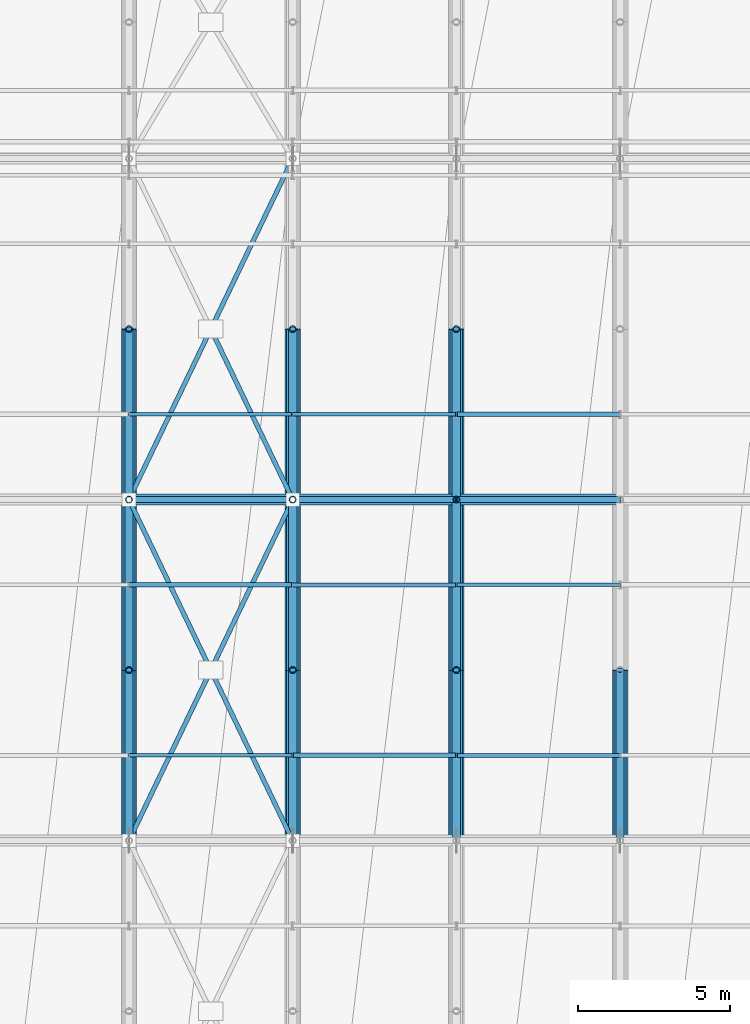
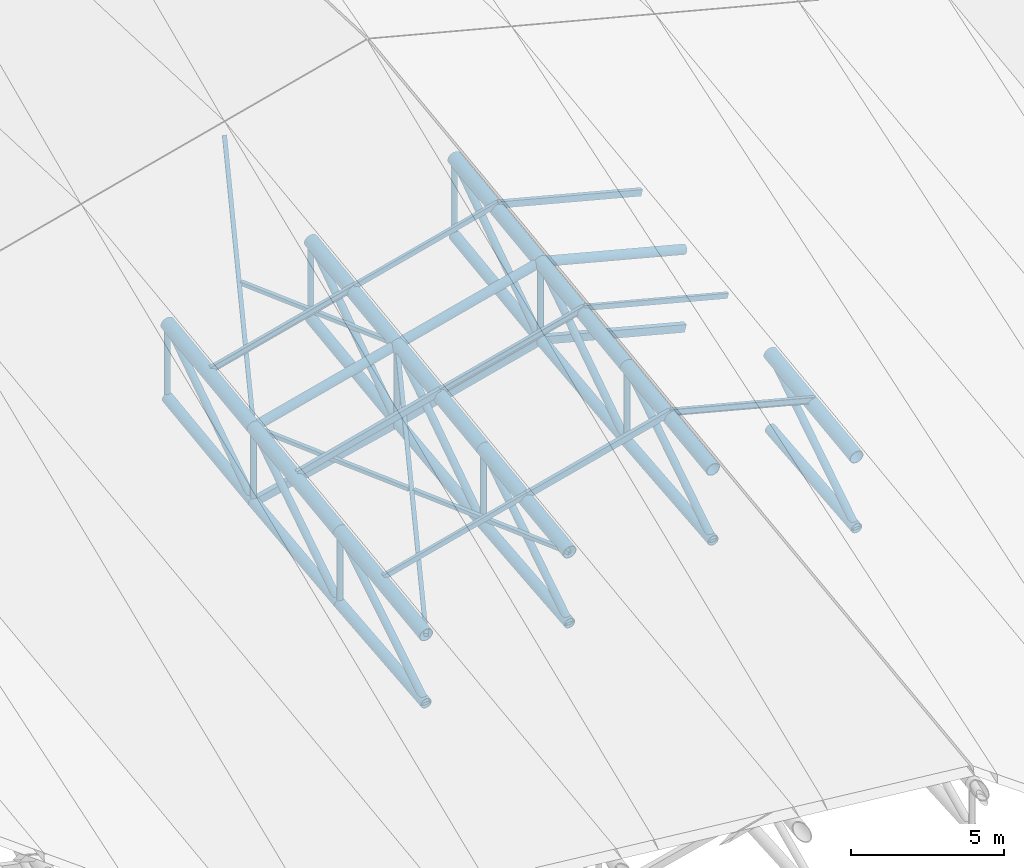
# One storey, part 21 of 109: 39 members, 20 beams.
"""IFC4 building model written with IfcOpenShell, lengths in metres."""

from ifc_helpers import new_model, si_unit, direction, frame, origin, origin_2d, place, context, subcontext, project, spatial, hollow_rectangle, hollow_circle, i_section, extrude, material, material_profile, profile_set, type_object, element, save


model = new_model("IFC4")

# Units and contexts
model_context = context("Model", 3, precision=1e-05, world=origin(), true_north=direction((0.0, 1.0)))
body_context = subcontext(model_context, "Body", "Model", "MODEL_VIEW")
ifc_project = project(units=[si_unit("LENGTHUNIT", "METRE"), si_unit("AREAUNIT", "SQUARE_METRE"), si_unit("VOLUMEUNIT", "CUBIC_METRE"), si_unit("PLANEANGLEUNIT", "RADIAN"), si_unit("MASSUNIT", "GRAM", prefix="KILO")], contexts=[model_context])

# Site, building, storey
site_placement = place(None, origin())
site = spatial("IfcSite", under=ifc_project, at=site_placement, CompositionType="ELEMENT")
building_placement = place(site_placement, origin())
building = spatial("IfcBuilding", under=site, at=building_placement, Name="Suirenkawa Promenade Aquatics Centre", CompositionType="ELEMENT")
storey_placement = place(building_placement, frame((0.0, 0.0, 22.800048828125)))
storey = spatial("IfcBuildingStorey", under=building, at=storey_placement, Name="ROOF", CompositionType="ELEMENT", Elevation=22.800048828125)

# Beams
ifc_material = material(Name="Steel IS 2062 E350 (Grade 350)", Category="steel")
ifc_material_profile_1 = material_profile(ifc_material, hollow_circle(Radius=0.202880859375, WallThickness=0.01806640625, at=origin_2d()), Name="CHS 406x18", Category="steel")
ifc_profile_set_1 = profile_set([ifc_material_profile_1], Name="Steel IS 2062 E350 (Grade 350)")
beam_type_1 = type_object("IfcBeamType", Name="BT-BC-CHS406", PredefinedType="BEAM", material=ifc_profile_set_1)
beam_1_placement = place(storey_placement, frame((100.800048828125, 72.89990234375, -12.02294921875), z_axis=(0.0, 0.995084117006, 0.099033328138), x_axis=(-1.0, 0.0, 0.0)))
element("IfcBeam", 1, at=beam_1_placement, inside=storey, type_object=beam_type_1, Name="ROOF TRUSS V1 bottom chord BC-01 BM-2096", PredefinedType="BEAM", context=body_context, shape_type="SweptSolid", body=[
    extrude(hollow_circle(Radius=0.202880859375, WallThickness=0.01806640625, at=origin_2d()), origin(), (0.0, 0.0, 1.0), 5.65283203125),
])
beam_2_placement = place(storey_placement, frame((100.800048828125, 78.52490234375, -11.463134765625), z_axis=(0.0, 0.993489515672, 0.113923580747), x_axis=(-1.0, 0.0, 0.0)))
element("IfcBeam", 2, at=beam_2_placement, inside=storey, type_object=beam_type_1, Name="ROOF TRUSS V1 bottom chord BC-01 BM-2098", PredefinedType="BEAM", context=body_context, shape_type="SweptSolid", body=[
    extrude(hollow_circle(Radius=0.202880859375, WallThickness=0.01806640625, at=origin_2d()), origin(), (0.0, 0.0, 1.0), 5.661865234375),
])
beam_3_placement = place(storey_placement, frame((100.800048828125, 84.14990234375, -10.818115234375), z_axis=(0.0, 0.991590568823, 0.129414619811), x_axis=(-1.0, 0.0, 0.0)))
element("IfcBeam", 3, at=beam_3_placement, inside=storey, type_object=beam_type_1, Name="ROOF TRUSS V1 bottom chord BC-01 BM-2100", PredefinedType="BEAM", context=body_context, shape_type="SweptSolid", body=[
    extrude(hollow_circle(Radius=0.202880859375, WallThickness=0.01806640625, at=origin_2d()), origin(), (0.0, 0.0, 1.0), 5.672607421875),
])
beam_4_placement = place(storey_placement, frame((106.199951171875, 72.89990234375, -10.72705078125), z_axis=(0.0, 0.995303000279, 0.096808768386), x_axis=(-1.0, 0.0, 0.0)))
element("IfcBeam", 4, at=beam_4_placement, inside=storey, type_object=beam_type_1, Name="ROOF TRUSS V1 bottom chord BC-01 BM-2124", PredefinedType="BEAM", context=body_context, shape_type="SweptSolid", body=[
    extrude(hollow_circle(Radius=0.202880859375, WallThickness=0.01806640625, at=origin_2d()), origin(), (0.0, 0.0, 1.0), 5.651611328125),
])
beam_5_placement = place(storey_placement, frame((106.199951171875, 78.52490234375, -10.179931640625), z_axis=(0.0, 0.993630301177, 0.112689061501), x_axis=(-1.0, 0.0, 0.0)))
element("IfcBeam", 5, at=beam_5_placement, inside=storey, type_object=beam_type_1, Name="ROOF TRUSS V1 bottom chord BC-01 BM-2126", PredefinedType="BEAM", context=body_context, shape_type="SweptSolid", body=[
    extrude(hollow_circle(Radius=0.202880859375, WallThickness=0.01806640625, at=origin_2d()), origin(), (0.0, 0.0, 1.0), 5.6611328125),
])
beam_6_placement = place(storey_placement, frame((106.199951171875, 84.14990234375, -9.5419921875), z_axis=(0.0, 0.991573992333, 0.129541567575), x_axis=(-1.0, 0.0, 0.0)))
element("IfcBeam", 6, at=beam_6_placement, inside=storey, type_object=beam_type_1, Name="ROOF TRUSS V1 bottom chord BC-01 BM-2128", PredefinedType="BEAM", context=body_context, shape_type="SweptSolid", body=[
    extrude(hollow_circle(Radius=0.202880859375, WallThickness=0.01806640625, at=origin_2d()), origin(), (0.0, 0.0, 1.0), 5.6728515625),
])
beam_7_placement = place(storey_placement, frame((111.60009765625, 72.89990234375, -9.3271484375), z_axis=(0.0, 0.995303000279, 0.096808768386), x_axis=(-1.0, 0.0, 0.0)))
element("IfcBeam", 7, at=beam_7_placement, inside=storey, type_object=beam_type_1, Name="ROOF TRUSS V1 bottom chord BC-01 BM-2152", PredefinedType="BEAM", context=body_context, shape_type="SweptSolid", body=[
    extrude(hollow_circle(Radius=0.202880859375, WallThickness=0.01806640625, at=origin_2d()), origin(), (0.0, 0.0, 1.0), 5.651611328125),
])
beam_8_placement = place(storey_placement, frame((111.60009765625, 78.52490234375, -8.780029296875), z_axis=(0.0, 0.993630301177, 0.112689061501), x_axis=(-1.0, 0.0, 0.0)))
element("IfcBeam", 8, at=beam_8_placement, inside=storey, type_object=beam_type_1, Name="ROOF TRUSS V1 bottom chord BC-01 BM-2154", PredefinedType="BEAM", context=body_context, shape_type="SweptSolid", body=[
    extrude(hollow_circle(Radius=0.202880859375, WallThickness=0.01806640625, at=origin_2d()), origin(), (0.0, 0.0, 1.0), 5.6611328125),
])
beam_9_placement = place(storey_placement, frame((111.60009765625, 84.14990234375, -8.14208984375), z_axis=(0.0, 0.991568463347, 0.129583882081), x_axis=(-1.0, 0.0, 0.0)))
element("IfcBeam", 9, at=beam_9_placement, inside=storey, type_object=beam_type_1, Name="ROOF TRUSS V1 bottom chord BC-01 BM-2156", PredefinedType="BEAM", context=body_context, shape_type="SweptSolid", body=[
    extrude(hollow_circle(Radius=0.202880859375, WallThickness=0.01806640625, at=origin_2d()), origin(), (0.0, 0.0, 1.0), 5.6728515625),
])
beam_10_placement = place(storey_placement, frame((117.0, 72.89990234375, -10.72705078125), z_axis=(0.0, 0.995303000279, 0.096808768386), x_axis=(-1.0, 0.0, 0.0)))
element("IfcBeam", 10, at=beam_10_placement, inside=storey, type_object=beam_type_1, Name="ROOF TRUSS V1 bottom chord BC-01 BM-2180", PredefinedType="BEAM", context=body_context, shape_type="SweptSolid", body=[
    extrude(hollow_circle(Radius=0.202880859375, WallThickness=0.01806640625, at=origin_2d()), origin(), (0.0, 0.0, 1.0), 5.651611328125),
])
ifc_material_profile_2 = material_profile(ifc_material, hollow_circle(Radius=0.25390625, WallThickness=0.02392578125, at=origin_2d()), Name="CHS 508x24", Category="steel")
ifc_profile_set_2 = profile_set([ifc_material_profile_2], Name="Steel IS 2062 E350 (Grade 350)")
beam_type_2 = type_object("IfcBeamType", Name="BT-TC-CHS508", PredefinedType="BEAM", material=ifc_profile_set_2)
for number, where, z_axis, x_axis, name in (
    (11, (100.800048828125, 72.89990234375, -9.300048828125), (0.0, 0.991793720609, 0.127848409297), (-1.0, 0.0, 0.0), "ROOF TRUSS V1 top chord TC-02 BM-2095"),
    (12, (100.800048828125, 78.52490234375, -8.574951171875), (0.0, 0.991799178012, 0.127806065951), (-1.0, 0.0, 0.0), "ROOF TRUSS V1 top chord TC-02 BM-2097"),
    (13, (100.800048828125, 84.14990234375, -7.85009765625), (0.0, 0.991793720609, 0.127848409297), (-1.0, 0.0, 0.0), "ROOF TRUSS V1 top chord TC-02 BM-2099"),
    (14, (106.199951171875, 72.89990234375, -7.900146484375), (0.0, 0.991793720609, 0.127848409297), (-1.0, 0.0, 0.0), "ROOF TRUSS V1 top chord TC-02 BM-2123"),
    (15, (106.199951171875, 78.52490234375, -7.175048828125), (0.0, 0.991793720609, 0.127848409297), (-1.0, 0.0, 0.0), "ROOF TRUSS V1 top chord TC-02 BM-2125"),
    (16, (106.199951171875, 84.14990234375, -6.449951171875), (0.0, 0.991799178012, 0.127806065951), (-1.0, 0.0, 0.0), "ROOF TRUSS V1 top chord TC-02 BM-2127"),
    (17, (111.60009765625, 72.89990234375, -6.5), (0.0, 0.991799178012, 0.127806065951), (-1.0, 0.0, 0.0), "ROOF TRUSS V1 top chord TC-02 BM-2151"),
    (18, (111.60009765625, 78.52490234375, -5.775146484375), (0.0, 0.991793720609, 0.127848409297), (-1.0, 0.0, 0.0), "ROOF TRUSS V1 top chord TC-02 BM-2153"),
    (19, (111.60009765625, 84.14990234375, -5.050048828125), (0.0, 0.991793720609, 0.127848409297), (-1.0, 0.0, 0.0), "ROOF TRUSS V1 top chord TC-02 BM-2155"),
    (20, (117.0, 72.89990234375, -7.900146484375), (0.0, 0.991793720609, 0.127848409297), (-1.0, 0.0, 0.0), "ROOF TRUSS V1 top chord TC-02 BM-2179"),
):
    element("IfcBeam", number, at=place(storey_placement, frame(where, z_axis=z_axis, x_axis=x_axis)), inside=storey, type_object=beam_type_2, Name=name, PredefinedType="BEAM", context=body_context, shape_type="SweptSolid", body=[
        extrude(hollow_circle(Radius=0.25390625, WallThickness=0.02392578125, at=origin_2d()), origin(), (0.0, 0.0, 1.0), 5.671630859375),
    ])

# Members
ifc_material_profile_3 = material_profile(ifc_material, hollow_rectangle(XDim=0.14990234375, YDim=0.14990234375, WallThickness=0.008056640625, at=origin_2d()), Name="SHS 150x150x8", Category="steel")
ifc_profile_set_3 = profile_set([ifc_material_profile_3], Name="Steel IS 2062 E350 (Grade 350)")
member_type_1 = type_object("IfcMemberType", Name="MT-BRACE-SHS150", PredefinedType="BRACE", material=ifc_profile_set_3)
member_1_placement = place(storey_placement, frame((100.800048828125, 72.89990234375, -9.300048828125), z_axis=(0.421861574719, 0.878894175018, 0.222660820294), x_axis=(-0.901526110403, 0.432724707246, 0.0)))
element("IfcMember", 21, at=member_1_placement, inside=storey, type_object=member_type_1, Name="ROOF TRUSS V1 continuous plan brace BF-02 MB-0944", PredefinedType="BRACE", context=body_context, shape_type="SweptSolid", body=[
    extrude(hollow_rectangle(XDim=0.14990234375, YDim=0.14990234375, WallThickness=0.008056640625, at=origin_2d()), origin(), (0.0, 0.0, 1.0), 12.80029296875),
])
member_2_placement = place(storey_placement, frame((106.199951171875, 72.89990234375, -7.900146484375), z_axis=(-0.432695212095, 0.901531007138, 0.004086147139), x_axis=(-0.901538533483, -0.432698824409, 0.0)))
element("IfcMember", 22, at=member_2_placement, inside=storey, type_object=member_type_1, Name="ROOF TRUSS V1 split plan brace A BF-02 MB-0945", PredefinedType="BRACE", context=body_context, shape_type="SweptSolid", body=[
    extrude(hollow_rectangle(XDim=0.14990234375, YDim=0.14990234375, WallThickness=0.008056640625, at=origin_2d()), origin(), (0.0, 0.0, 1.0), 6.154052734375),
])
member_3_placement = place(storey_placement, frame((103.462890625, 78.60205078125, -7.875), z_axis=(-0.432710757709, 0.901523724047, 0.004046621187), x_axis=(-0.901531105428, -0.432714300603, 0.0)))
element("IfcMember", 23, at=member_3_placement, inside=storey, type_object=member_type_1, Name="ROOF TRUSS V1 split plan brace B BF-02 MB-0946", PredefinedType="BRACE", context=body_context, shape_type="SweptSolid", body=[
    extrude(hollow_rectangle(XDim=0.14990234375, YDim=0.14990234375, WallThickness=0.008056640625, at=origin_2d()), origin(), (0.0, 0.0, 1.0), 6.15380859375),
])
member_4_placement = place(storey_placement, frame((100.800048828125, 84.14990234375, -7.85009765625), z_axis=(0.421861574719, 0.878894175018, 0.222660820294), x_axis=(-0.901526110403, 0.432724707246, 0.0)))
element("IfcMember", 24, at=member_4_placement, inside=storey, type_object=member_type_1, Name="ROOF TRUSS V1 continuous plan brace BF-02 MB-0947", PredefinedType="BRACE", context=body_context, shape_type="SweptSolid", body=[
    extrude(hollow_rectangle(XDim=0.14990234375, YDim=0.14990234375, WallThickness=0.008056640625, at=origin_2d()), origin(), (0.0, 0.0, 1.0), 12.80029296875),
])
member_5_placement = place(storey_placement, frame((106.199951171875, 84.14990234375, -6.449951171875), z_axis=(-0.432695281896, 0.90153115257, 0.00404647646), x_axis=(-0.901538533483, -0.432698824409, 0.0)))
element("IfcMember", 25, at=member_5_placement, inside=storey, type_object=member_type_1, Name="ROOF TRUSS V1 split plan brace A BF-02 MB-0948", PredefinedType="BRACE", context=body_context, shape_type="SweptSolid", body=[
    extrude(hollow_rectangle(XDim=0.14990234375, YDim=0.14990234375, WallThickness=0.008056640625, at=origin_2d()), origin(), (0.0, 0.0, 1.0), 6.154052734375),
])
ifc_material_profile_4 = material_profile(ifc_material, hollow_circle(Radius=0.177978515625, WallThickness=0.01611328125, at=origin_2d()), Name="CHS 356x16", Category="steel")
ifc_profile_set_4 = profile_set([ifc_material_profile_4], Name="Steel IS 2062 E350 (Grade 350)")
member_type_2 = type_object("IfcMemberType", Name="MT-CHORD-CHS356", PredefinedType="CHORD", material=ifc_profile_set_4)
member_6_placement = place(storey_placement, frame((100.800048828125, 84.14990234375, -7.85009765625), z_axis=(0.967989416096, 0.0, 0.250991016426), x_axis=(0.0, 1.0, 0.0)))
element("IfcMember", 26, at=member_6_placement, inside=storey, type_object=member_type_2, Name="ROOF TRUSS V1 tie chord CH-02 MB-0788", PredefinedType="CHORD", context=body_context, shape_type="SweptSolid", body=[
    extrude(hollow_circle(Radius=0.177978515625, WallThickness=0.01611328125, at=origin_2d()), origin(), (0.0, 0.0, 1.0), 5.578369140625),
])
member_7_placement = place(storey_placement, frame((106.199951171875, 84.14990234375, -6.449951171875), z_axis=(0.96800280427, 0.0, 0.250939376992), x_axis=(0.0, 1.0, 0.0)))
element("IfcMember", 27, at=member_7_placement, inside=storey, type_object=member_type_2, Name="ROOF TRUSS V1 tie chord CH-02 MB-0790", PredefinedType="CHORD", context=body_context, shape_type="SweptSolid", body=[
    extrude(hollow_circle(Radius=0.177978515625, WallThickness=0.01611328125, at=origin_2d()), origin(), (0.0, 0.0, 1.0), 5.57861328125),
])
member_8_placement = place(storey_placement, frame((111.60009765625, 84.14990234375, -5.050048828125), z_axis=(0.968000048288, 0.0, -0.250950007997), x_axis=(0.0, 1.0, 0.0)))
element("IfcMember", 28, at=member_8_placement, inside=storey, type_object=member_type_2, Name="ROOF TRUSS V1 tie chord CH-02 MB-0792", PredefinedType="CHORD", context=body_context, shape_type="SweptSolid", body=[
    extrude(hollow_circle(Radius=0.177978515625, WallThickness=0.01611328125, at=origin_2d()), origin(), (0.0, 0.0, 1.0), 5.578369140625),
])
ifc_material_profile_5 = material_profile(ifc_material, hollow_rectangle(XDim=0.199951171875, YDim=0.300048828125, WallThickness=0.011962890625, at=origin_2d()), Name="RHS 300x200x12", Category="steel")
ifc_profile_set_5 = profile_set([ifc_material_profile_5], Name="Steel IS 2062 E350 (Grade 350)")
member_type_3 = type_object("IfcMemberType", Name="MT-CHORD-RHS300", PredefinedType="CHORD", material=ifc_profile_set_5)
member_9_placement = place(storey_placement, frame((100.800048828125, 84.14990234375, -10.818115234375), z_axis=(0.973193387284, 0.0, 0.229988327848), x_axis=(0.0, 1.0, 0.0)))
element("IfcMember", 29, at=member_9_placement, inside=storey, type_object=member_type_3, Name="ROOF TRUSS V1 bottom tie CH-03 MB-0789", PredefinedType="CHORD", context=body_context, shape_type="SweptSolid", body=[
    extrude(hollow_rectangle(XDim=0.199951171875, YDim=0.300048828125, WallThickness=0.011962890625, at=origin_2d()), origin(), (0.0, 0.0, 1.0), 5.548583984375),
])
member_10_placement = place(storey_placement, frame((106.199951171875, 84.14990234375, -9.5419921875), z_axis=(0.96800280427, 0.0, 0.250939376992), x_axis=(0.0, 1.0, 0.0)))
element("IfcMember", 30, at=member_10_placement, inside=storey, type_object=member_type_3, Name="ROOF TRUSS V1 bottom tie CH-03 MB-0791", PredefinedType="CHORD", context=body_context, shape_type="SweptSolid", body=[
    extrude(hollow_rectangle(XDim=0.199951171875, YDim=0.300048828125, WallThickness=0.011962890625, at=origin_2d()), origin(), (0.0, 0.0, 1.0), 5.57861328125),
])
member_11_placement = place(storey_placement, frame((111.60009765625, 84.14990234375, -8.14208984375), z_axis=(0.968000048288, 0.0, -0.250950007997), x_axis=(0.0, 1.0, 0.0)))
element("IfcMember", 31, at=member_11_placement, inside=storey, type_object=member_type_3, Name="ROOF TRUSS V1 bottom tie CH-03 MB-0793", PredefinedType="CHORD", context=body_context, shape_type="SweptSolid", body=[
    extrude(hollow_rectangle(XDim=0.199951171875, YDim=0.300048828125, WallThickness=0.011962890625, at=origin_2d()), origin(), (0.0, 0.0, 1.0), 5.578369140625),
])
ifc_material_profile_6 = material_profile(ifc_material, i_section(OverallWidth=0.125, OverallDepth=0.25, WebThickness=0.007080078125, FlangeThickness=0.012939453125, at=origin_2d()), Name="ISMB 250", Category="steel")
ifc_profile_set_6 = profile_set([ifc_material_profile_6], Name="Steel IS 2062 E350 (Grade 350)")
member_type_4 = type_object("IfcMemberType", Name="MT-PURLIN-ISMB250", PredefinedType="PURLIN", material=ifc_profile_set_6)
member_12_placement = place(storey_placement, frame((100.800048828125, 86.962890625, -7.26611328125), z_axis=(0.968031935842, 0.0, 0.250826974605), x_axis=(0.0, 1.0, 0.0)))
element("IfcMember", 32, at=member_12_placement, inside=storey, type_object=member_type_4, Name="ROOF TRUSS Roof purlin PU-04 MB-2061", PredefinedType="PURLIN", context=body_context, shape_type="SweptSolid", body=[
    extrude(i_section(OverallWidth=0.125, OverallDepth=0.25, WebThickness=0.007080078125, FlangeThickness=0.012939453125, at=origin_2d()), origin(), (0.0, 0.0, 1.0), 5.578125),
])
member_13_placement = place(storey_placement, frame((106.199951171875, 81.337890625, -6.591064453125), z_axis=(0.968045314519, 0.0, 0.250775335784), x_axis=(0.0, 1.0, 0.0)))
element("IfcMember", 33, at=member_13_placement, inside=storey, type_object=member_type_4, Name="ROOF TRUSS Roof purlin PU-04 MB-2095", PredefinedType="PURLIN", context=body_context, shape_type="SweptSolid", body=[
    extrude(i_section(OverallWidth=0.125, OverallDepth=0.25, WebThickness=0.007080078125, FlangeThickness=0.012939453125, at=origin_2d()), origin(), (0.0, 0.0, 1.0), 5.578369140625),
])
member_14_placement = place(storey_placement, frame((111.60009765625, 75.712890625, -5.916015625), z_axis=(0.967946872291, 0.0, -0.251155036625), x_axis=(0.0, 1.0, 0.0)))
element("IfcMember", 34, at=member_14_placement, inside=storey, type_object=member_type_4, Name="ROOF TRUSS Roof purlin PU-04 MB-2129", PredefinedType="PURLIN", context=body_context, shape_type="SweptSolid", body=[
    extrude(i_section(OverallWidth=0.125, OverallDepth=0.25, WebThickness=0.007080078125, FlangeThickness=0.012939453125, at=origin_2d()), origin(), (0.0, 0.0, 1.0), 5.57861328125),
])
ifc_material_profile_7 = material_profile(ifc_material, hollow_rectangle(XDim=0.1201171875, YDim=0.199951171875, WallThickness=0.008056640625, at=origin_2d()), Name="RHS 200x120x8", Category="steel")
ifc_profile_set_7 = profile_set([ifc_material_profile_7], Name="Steel IS 2062 E350 (Grade 350)")
member_type_5 = type_object("IfcMemberType", Name="MT-PURLIN-RHS200", PredefinedType="PURLIN", material=ifc_profile_set_7)
member_15_placement = place(storey_placement, frame((100.800048828125, 75.712890625, -8.691162109375), z_axis=(0.967989416096, 0.0, 0.250991016426), x_axis=(0.0, 1.0, 0.0)))
element("IfcMember", 35, at=member_15_placement, inside=storey, type_object=member_type_5, Name="ROOF TRUSS Roof purlin PU-02 MB-2057", PredefinedType="PURLIN", context=body_context, shape_type="SweptSolid", body=[
    extrude(hollow_rectangle(XDim=0.1201171875, YDim=0.199951171875, WallThickness=0.008056640625, at=origin_2d()), origin(), (0.0, 0.0, 1.0), 5.578369140625),
])
member_16_placement = place(storey_placement, frame((106.199951171875, 86.962890625, -5.841064453125), z_axis=(0.96800280427, 0.0, 0.250939376992), x_axis=(0.0, 1.0, 0.0)))
element("IfcMember", 36, at=member_16_placement, inside=storey, type_object=member_type_5, Name="ROOF TRUSS Roof purlin PU-02 MB-2097", PredefinedType="PURLIN", context=body_context, shape_type="SweptSolid", body=[
    extrude(hollow_rectangle(XDim=0.1201171875, YDim=0.199951171875, WallThickness=0.008056640625, at=origin_2d()), origin(), (0.0, 0.0, 1.0), 5.57861328125),
])
member_17_placement = place(storey_placement, frame((111.60009765625, 81.337890625, -5.166015625), z_axis=(0.967989416096, 0.0, -0.250991016426), x_axis=(0.0, 1.0, 0.0)))
element("IfcMember", 37, at=member_17_placement, inside=storey, type_object=member_type_5, Name="ROOF TRUSS Roof purlin PU-02 MB-2131", PredefinedType="PURLIN", context=body_context, shape_type="SweptSolid", body=[
    extrude(hollow_rectangle(XDim=0.1201171875, YDim=0.199951171875, WallThickness=0.008056640625, at=origin_2d()), origin(), (0.0, 0.0, 1.0), 5.578369140625),
])
ifc_material_profile_8 = material_profile(ifc_material, hollow_rectangle(XDim=0.14990234375, YDim=0.25, WallThickness=0.010009765625, at=origin_2d()), Name="RHS 250x150x10", Category="steel")
ifc_profile_set_8 = profile_set([ifc_material_profile_8], Name="Steel IS 2062 E350 (Grade 350)")
member_type_6 = type_object("IfcMemberType", Name="MT-PURLIN-RHS250", PredefinedType="PURLIN", material=ifc_profile_set_8)
member_18_placement = place(storey_placement, frame((100.800048828125, 81.337890625, -7.9931640625), z_axis=(0.967989416096, 0.0, 0.250991016426), x_axis=(0.0, 1.0, 0.0)))
element("IfcMember", 38, at=member_18_placement, inside=storey, type_object=member_type_6, Name="ROOF TRUSS Roof purlin PU-03 MB-2059", PredefinedType="PURLIN", context=body_context, shape_type="SweptSolid", body=[
    extrude(hollow_rectangle(XDim=0.14990234375, YDim=0.25, WallThickness=0.010009765625, at=origin_2d()), origin(), (0.0, 0.0, 1.0), 5.578369140625),
])
member_19_placement = place(storey_placement, frame((106.199951171875, 75.712890625, -7.318115234375), z_axis=(0.967992172948, 0.0, 0.250980383917), x_axis=(0.0, 1.0, 0.0)))
element("IfcMember", 39, at=member_19_placement, inside=storey, type_object=member_type_6, Name="ROOF TRUSS Roof purlin PU-03 MB-2093", PredefinedType="PURLIN", context=body_context, shape_type="SweptSolid", body=[
    extrude(hollow_rectangle(XDim=0.14990234375, YDim=0.25, WallThickness=0.010009765625, at=origin_2d()), origin(), (0.0, 0.0, 1.0), 5.57861328125),
])
member_20_placement = place(storey_placement, frame((111.60009765625, 86.962890625, -4.468017578125), z_axis=(0.967989416096, 0.0, -0.250991016426), x_axis=(0.0, 1.0, 0.0)))
element("IfcMember", 40, at=member_20_placement, inside=storey, type_object=member_type_6, Name="ROOF TRUSS Roof purlin PU-03 MB-2133", PredefinedType="PURLIN", context=body_context, shape_type="SweptSolid", body=[
    extrude(hollow_rectangle(XDim=0.14990234375, YDim=0.25, WallThickness=0.010009765625, at=origin_2d()), origin(), (0.0, 0.0, 1.0), 5.578369140625),
])
ifc_material_profile_9 = material_profile(ifc_material, hollow_circle(Radius=0.110107421875, WallThickness=0.010009765625, at=origin_2d()), Name="CHS 220x10", Category="steel")
ifc_profile_set_9 = profile_set([ifc_material_profile_9], Name="Steel IS 2062 E350 (Grade 350)")
member_type_7 = type_object("IfcMemberType", Name="MT-WEB-CHS220", PredefinedType="BRACE", material=ifc_profile_set_9)
member_21_placement = place(storey_placement, frame((100.800048828125, 78.52490234375, -11.463134765625), z_axis=(0.0, 0.0, 1.0), x_axis=(1.0, 0.0, 0.0)))
element("IfcMember", 41, at=member_21_placement, inside=storey, type_object=member_type_7, Name="ROOF TRUSS V1 web post TD-01 MB-0289", PredefinedType="BRACE", context=body_context, shape_type="SweptSolid", body=[
    extrude(hollow_circle(Radius=0.110107421875, WallThickness=0.010009765625, at=origin_2d()), origin(), (0.0, 0.0, 1.0), 2.88818359375),
])
member_22_placement = place(storey_placement, frame((100.800048828125, 84.14990234375, -10.818115234375), z_axis=(0.0, 0.0, 1.0), x_axis=(1.0, 0.0, 0.0)))
element("IfcMember", 42, at=member_22_placement, inside=storey, type_object=member_type_7, Name="ROOF TRUSS V1 web post TD-01 MB-0290", PredefinedType="BRACE", context=body_context, shape_type="SweptSolid", body=[
    extrude(hollow_circle(Radius=0.110107421875, WallThickness=0.010009765625, at=origin_2d()), origin(), (0.0, 0.0, 1.0), 2.968017578125),
])
member_23_placement = place(storey_placement, frame((100.800048828125, 89.77490234375, -10.083984375), z_axis=(0.0, 0.0, 1.0), x_axis=(1.0, 0.0, 0.0)))
element("IfcMember", 43, at=member_23_placement, inside=storey, type_object=member_type_7, Name="ROOF TRUSS V1 web post TD-01 MB-0291", PredefinedType="BRACE", context=body_context, shape_type="SweptSolid", body=[
    extrude(hollow_circle(Radius=0.110107421875, WallThickness=0.010009765625, at=origin_2d()), origin(), (0.0, 0.0, 1.0), 2.958984375),
])
member_24_placement = place(storey_placement, frame((106.199951171875, 78.52490234375, -10.179931640625), z_axis=(0.0, 0.0, 1.0), x_axis=(1.0, 0.0, 0.0)))
element("IfcMember", 44, at=member_24_placement, inside=storey, type_object=member_type_7, Name="ROOF TRUSS V1 web post TD-01 MB-0316", PredefinedType="BRACE", context=body_context, shape_type="SweptSolid", body=[
    extrude(hollow_circle(Radius=0.110107421875, WallThickness=0.010009765625, at=origin_2d()), origin(), (0.0, 0.0, 1.0), 3.0048828125),
])
member_25_placement = place(storey_placement, frame((106.199951171875, 84.14990234375, -9.5419921875), z_axis=(0.0, 0.0, 1.0), x_axis=(1.0, 0.0, 0.0)))
element("IfcMember", 45, at=member_25_placement, inside=storey, type_object=member_type_7, Name="ROOF TRUSS V1 web post TD-01 MB-0317", PredefinedType="BRACE", context=body_context, shape_type="SweptSolid", body=[
    extrude(hollow_circle(Radius=0.110107421875, WallThickness=0.010009765625, at=origin_2d()), origin(), (0.0, 0.0, 1.0), 3.092041015625),
])
member_26_placement = place(storey_placement, frame((106.199951171875, 89.77490234375, -8.80712890625), z_axis=(0.0, 0.0, 1.0), x_axis=(1.0, 0.0, 0.0)))
element("IfcMember", 46, at=member_26_placement, inside=storey, type_object=member_type_7, Name="ROOF TRUSS V1 web post TD-01 MB-0318", PredefinedType="BRACE", context=body_context, shape_type="SweptSolid", body=[
    extrude(hollow_circle(Radius=0.110107421875, WallThickness=0.010009765625, at=origin_2d()), origin(), (0.0, 0.0, 1.0), 3.08203125),
])
member_27_placement = place(storey_placement, frame((111.60009765625, 78.52490234375, -8.780029296875), z_axis=(0.0, 0.0, 1.0), x_axis=(1.0, 0.0, 0.0)))
element("IfcMember", 47, at=member_27_placement, inside=storey, type_object=member_type_7, Name="ROOF TRUSS V1 web post TD-01 MB-0343", PredefinedType="BRACE", context=body_context, shape_type="SweptSolid", body=[
    extrude(hollow_circle(Radius=0.110107421875, WallThickness=0.010009765625, at=origin_2d()), origin(), (0.0, 0.0, 1.0), 3.0048828125),
])
member_28_placement = place(storey_placement, frame((111.60009765625, 84.14990234375, -8.14208984375), z_axis=(0.0, 0.0, 1.0), x_axis=(1.0, 0.0, 0.0)))
element("IfcMember", 48, at=member_28_placement, inside=storey, type_object=member_type_7, Name="ROOF TRUSS V1 web post TD-01 MB-0344", PredefinedType="BRACE", context=body_context, shape_type="SweptSolid", body=[
    extrude(hollow_circle(Radius=0.110107421875, WallThickness=0.010009765625, at=origin_2d()), origin(), (0.0, 0.0, 1.0), 3.092041015625),
])
member_29_placement = place(storey_placement, frame((111.60009765625, 89.77490234375, -7.406982421875), z_axis=(0.0, 0.0, 1.0), x_axis=(1.0, 0.0, 0.0)))
element("IfcMember", 49, at=member_29_placement, inside=storey, type_object=member_type_7, Name="ROOF TRUSS V1 web post TD-01 MB-0345", PredefinedType="BRACE", context=body_context, shape_type="SweptSolid", body=[
    extrude(hollow_circle(Radius=0.110107421875, WallThickness=0.010009765625, at=origin_2d()), origin(), (0.0, 0.0, 1.0), 3.08203125),
])
ifc_material_profile_10 = material_profile(ifc_material, hollow_circle(Radius=0.136962890625, WallThickness=0.011962890625, at=origin_2d()), Name="CHS 274x12", Category="steel")
ifc_profile_set_10 = profile_set([ifc_material_profile_10], Name="Steel IS 2062 E350 (Grade 350)")
member_type_8 = type_object("IfcMemberType", Name="MT-WEB-CHS274", PredefinedType="BRACE", material=ifc_profile_set_10)
member_30_placement = place(storey_placement, frame((100.800048828125, 72.89990234375, -12.02294921875), z_axis=(0.0, 0.852573064281, 0.522608046304), x_axis=(-1.0, 0.0, 0.0)))
element("IfcMember", 50, at=member_30_placement, inside=storey, type_object=member_type_8, Name="ROOF TRUSS V1 web diagonal TD-02 MB-0275", PredefinedType="BRACE", context=body_context, shape_type="SweptSolid", body=[
    extrude(hollow_circle(Radius=0.136962890625, WallThickness=0.011962890625, at=origin_2d()), origin(), (0.0, 0.0, 1.0), 6.59765625),
])
member_31_placement = place(storey_placement, frame((100.800048828125, 78.52490234375, -11.463134765625), z_axis=(0.0, 0.841384868503, 0.540436400563), x_axis=(-1.0, 0.0, 0.0)))
element("IfcMember", 51, at=member_31_placement, inside=storey, type_object=member_type_8, Name="ROOF TRUSS V1 web diagonal TD-02 MB-0276", PredefinedType="BRACE", context=body_context, shape_type="SweptSolid", body=[
    extrude(hollow_circle(Radius=0.136962890625, WallThickness=0.011962890625, at=origin_2d()), origin(), (0.0, 0.0, 1.0), 6.685302734375),
])
member_32_placement = place(storey_placement, frame((100.800048828125, 84.14990234375, -10.818115234375), z_axis=(0.0, 0.835931394157, 0.548833949627), x_axis=(-1.0, 0.0, 0.0)))
element("IfcMember", 52, at=member_32_placement, inside=storey, type_object=member_type_8, Name="ROOF TRUSS V1 web diagonal TD-02 MB-0277", PredefinedType="BRACE", context=body_context, shape_type="SweptSolid", body=[
    extrude(hollow_circle(Radius=0.136962890625, WallThickness=0.011962890625, at=origin_2d()), origin(), (0.0, 0.0, 1.0), 6.72900390625),
])
member_33_placement = place(storey_placement, frame((106.199951171875, 72.89990234375, -10.72705078125), z_axis=(0.0, 0.845531630367, 0.533925333777), x_axis=(-1.0, 0.0, 0.0)))
element("IfcMember", 53, at=member_33_placement, inside=storey, type_object=member_type_8, Name="ROOF TRUSS V1 web diagonal TD-02 MB-0302", PredefinedType="BRACE", context=body_context, shape_type="SweptSolid", body=[
    extrude(hollow_circle(Radius=0.136962890625, WallThickness=0.011962890625, at=origin_2d()), origin(), (0.0, 0.0, 1.0), 6.652587890625),
])
member_34_placement = place(storey_placement, frame((106.199951171875, 78.52490234375, -10.179931640625), z_axis=(0.0, 0.833416754205, 0.552645016091), x_axis=(-1.0, 0.0, 0.0)))
element("IfcMember", 54, at=member_34_placement, inside=storey, type_object=member_type_8, Name="ROOF TRUSS V1 web diagonal TD-02 MB-0303", PredefinedType="BRACE", context=body_context, shape_type="SweptSolid", body=[
    extrude(hollow_circle(Radius=0.136962890625, WallThickness=0.011962890625, at=origin_2d()), origin(), (0.0, 0.0, 1.0), 6.749267578125),
])
member_35_placement = place(storey_placement, frame((106.199951171875, 84.14990234375, -9.5419921875), z_axis=(0.0, 0.827480542111, 0.56149439216), x_axis=(-1.0, 0.0, 0.0)))
element("IfcMember", 55, at=member_35_placement, inside=storey, type_object=member_type_8, Name="ROOF TRUSS V1 web diagonal TD-02 MB-0304", PredefinedType="BRACE", context=body_context, shape_type="SweptSolid", body=[
    extrude(hollow_circle(Radius=0.136962890625, WallThickness=0.011962890625, at=origin_2d()), origin(), (0.0, 0.0, 1.0), 6.7978515625),
])
member_36_placement = place(storey_placement, frame((111.60009765625, 72.89990234375, -9.3271484375), z_axis=(0.0, 0.845531630367, 0.533925333777), x_axis=(-1.0, 0.0, 0.0)))
element("IfcMember", 56, at=member_36_placement, inside=storey, type_object=member_type_8, Name="ROOF TRUSS V1 web diagonal TD-02 MB-0329", PredefinedType="BRACE", context=body_context, shape_type="SweptSolid", body=[
    extrude(hollow_circle(Radius=0.136962890625, WallThickness=0.011962890625, at=origin_2d()), origin(), (0.0, 0.0, 1.0), 6.652587890625),
])
member_37_placement = place(storey_placement, frame((111.60009765625, 78.52490234375, -8.780029296875), z_axis=(0.0, 0.833416754205, 0.552645016091), x_axis=(-1.0, 0.0, 0.0)))
element("IfcMember", 57, at=member_37_placement, inside=storey, type_object=member_type_8, Name="ROOF TRUSS V1 web diagonal TD-02 MB-0330", PredefinedType="BRACE", context=body_context, shape_type="SweptSolid", body=[
    extrude(hollow_circle(Radius=0.136962890625, WallThickness=0.011962890625, at=origin_2d()), origin(), (0.0, 0.0, 1.0), 6.749267578125),
])
member_38_placement = place(storey_placement, frame((111.60009765625, 84.14990234375, -8.14208984375), z_axis=(0.0, 0.827463855072, 0.561518983249), x_axis=(-1.0, 0.0, 0.0)))
element("IfcMember", 58, at=member_38_placement, inside=storey, type_object=member_type_8, Name="ROOF TRUSS V1 web diagonal TD-02 MB-0331", PredefinedType="BRACE", context=body_context, shape_type="SweptSolid", body=[
    extrude(hollow_circle(Radius=0.136962890625, WallThickness=0.011962890625, at=origin_2d()), origin(), (0.0, 0.0, 1.0), 6.7978515625),
])
member_39_placement = place(storey_placement, frame((117.0, 72.89990234375, -10.72705078125), z_axis=(0.0, 0.845531630367, 0.533925333777), x_axis=(-1.0, 0.0, 0.0)))
element("IfcMember", 59, at=member_39_placement, inside=storey, type_object=member_type_8, Name="ROOF TRUSS V1 web diagonal TD-02 MB-0356", PredefinedType="BRACE", context=body_context, shape_type="SweptSolid", body=[
    extrude(hollow_circle(Radius=0.136962890625, WallThickness=0.011962890625, at=origin_2d()), origin(), (0.0, 0.0, 1.0), 6.652587890625),
])

save(model, "model.ifc")
